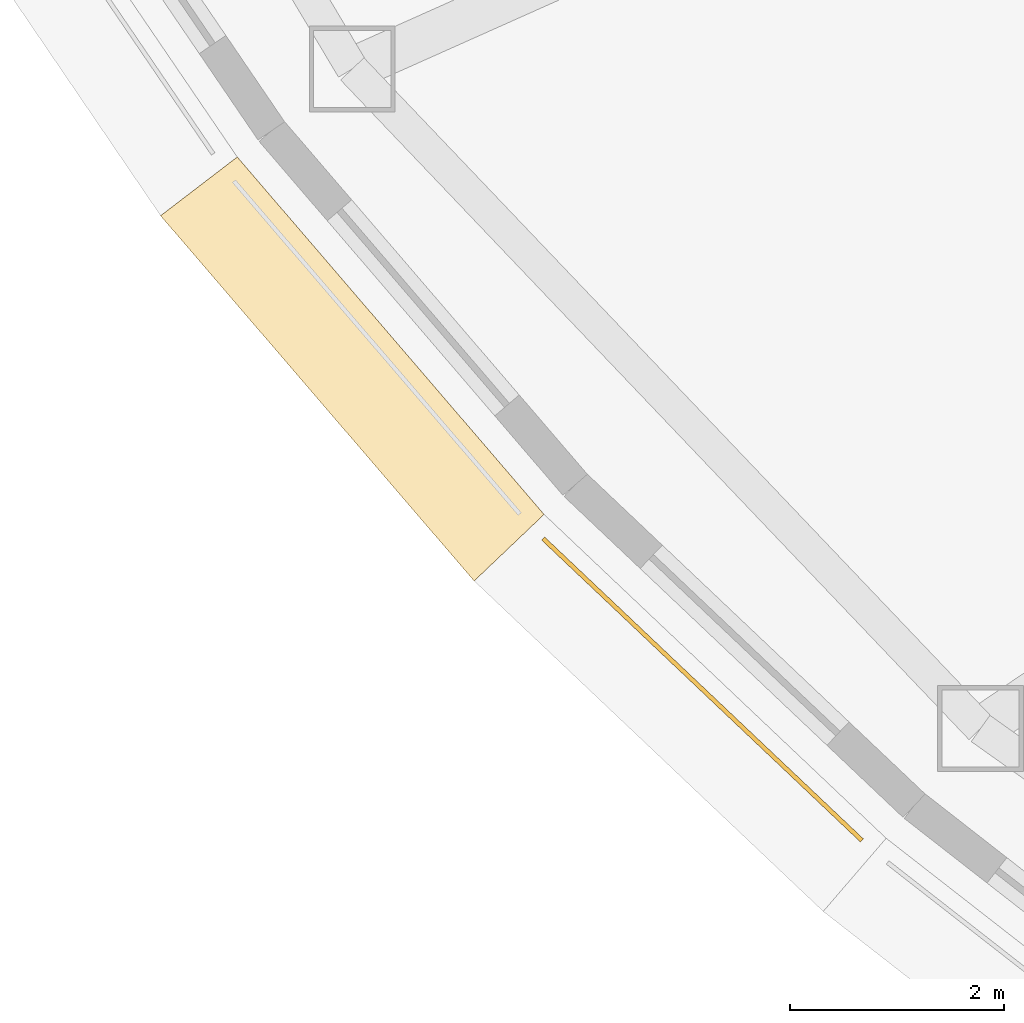
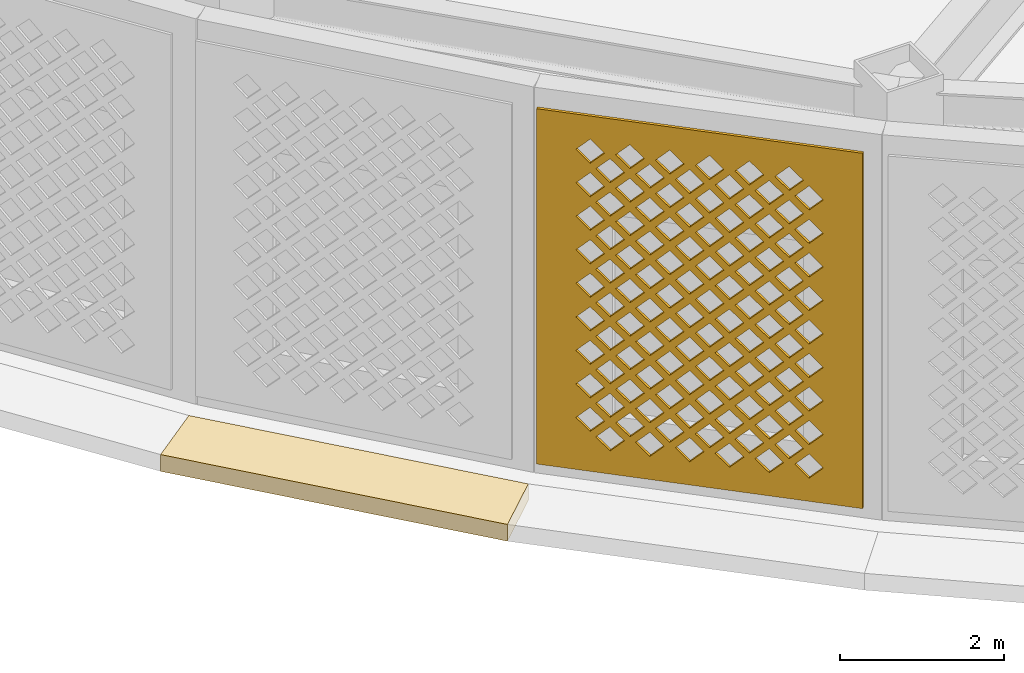
# One storey, part 38 of 74: 2 coverings.
"""IFC4 building model written with IfcOpenShell, lengths in metres."""

import ifcopenshell
import ifcopenshell.guid

model = None  # the IFC model being written
_history = None  # IfcOwnerHistory: only IFC2X3 demands one
_inside = {}  # id of a spatial element -> (the spatial element, [elements in it])
_under = {}  # id of a project, library or spatial element -> (it, [spatial elements below it])
_declared = {}  # id of a project -> (the project, [libraries it declares])
_typed = {}  # id of a type object -> (the type object, [elements of that type])
_made_of = {}  # id of a material, layer set ... -> (it, [elements and type objects made of it])


def new_model(schema):
    """Start an empty IFC model of exactly this schema.

    Asked for "IFC4X3", IfcOpenShell would pick the latest addendum, in which some entities
    have other attributes; the version numbers below select the first issue.
    IFC2X3 requires an IfcOwnerHistory on every rooted entity: one is made here for all.
    """
    global model, _history
    if schema == "IFC4X3":
        model = ifcopenshell.file(schema_version=(4, 3, 0, 0))
    else:
        model = ifcopenshell.file(schema=schema)
    _inside.clear()
    _under.clear()
    _declared.clear()
    _typed.clear()
    _made_of.clear()
    _history = None
    if model.schema == "IFC2X3":
        org = make("IfcOrganization", Name="unknown")
        user = make(
            "IfcPersonAndOrganization",
            ThePerson=make("IfcPerson", FamilyName="unknown"),
            TheOrganization=org,
        )
        app = make(
            "IfcApplication",
            ApplicationDeveloper=org,
            Version="unknown",
            ApplicationFullName="unknown",
            ApplicationIdentifier="unknown",
        )
        _history = make(
            "IfcOwnerHistory",
            OwningUser=user,
            OwningApplication=app,
            ChangeAction="ADDED",
            CreationDate=0,
        )
    return model


def make(cls, **values):
    """One entity of the class cls with the attributes given. An attribute that is None is left unset."""
    return model.create_entity(
        cls, **{name: value for name, value in values.items() if value is not None}
    )


def rooted(cls, **values):
    """An entity with a GlobalId (a new one), such as an element, a storey or a relation."""
    return make(cls, GlobalId=ifcopenshell.guid.new(), OwnerHistory=_history, **values)


def si_unit(unit_type, name, prefix=None):
    """IfcSIUnit, for example si_unit("LENGTHUNIT", "METRE", prefix="MILLI")."""
    return make("IfcSIUnit", UnitType=unit_type, Prefix=prefix, Name=name)


def assignment(units):
    """IfcUnitAssignment: the units of a project."""
    return None if units is None else make("IfcUnitAssignment", Units=units)


def point(xyz):
    """IfcCartesianPoint."""
    return None if xyz is None else make("IfcCartesianPoint", Coordinates=xyz)


def direction(xyz):
    """IfcDirection."""
    return None if xyz is None else make("IfcDirection", DirectionRatios=xyz)


def frame(location, z_axis=None, x_axis=None):
    """IfcAxis2Placement3D, a coordinate frame: its origin and axes. An axis left out is left unset."""
    return make(
        "IfcAxis2Placement3D",
        Location=point(location),
        Axis=direction(z_axis),
        RefDirection=direction(x_axis),
    )


def origin():
    """The frame at (0, 0, 0) with its axes left unset."""
    return frame((0.0, 0.0, 0.0))


def place(relative_to, where):
    """IfcLocalPlacement: puts the frame where relative to a parent placement (None: the world)."""
    return make(
        "IfcLocalPlacement", PlacementRelTo=relative_to, RelativePlacement=where
    )


def context(
    kind, dimensions, precision=None, world=None, true_north=None, identifier=None
):
    """IfcGeometricRepresentationContext, for example the 3D "Model" context."""
    return make(
        "IfcGeometricRepresentationContext",
        ContextIdentifier=identifier,
        ContextType=kind,
        CoordinateSpaceDimension=dimensions,
        Precision=precision,
        WorldCoordinateSystem=world,
        TrueNorth=true_north,
    )


def subcontext(parent, identifier, kind, view, scale=None):
    """IfcGeometricRepresentationSubContext, for example "Body" below "Model"."""
    return make(
        "IfcGeometricRepresentationSubContext",
        ContextIdentifier=identifier,
        ContextType=kind,
        ParentContext=parent,
        TargetScale=scale,
        TargetView=view,
    )


def project(units=None, contexts=None):
    """IfcProject with its units and contexts."""
    return rooted(
        "IfcProject",
        Name="project",
        RepresentationContexts=contexts,
        UnitsInContext=assignment(units),
    )


def spatial(cls, under=None, at=None, **own):
    """A site, building, storey or space (cls), placed at a placement, below another one or the project."""
    s = rooted(cls, ObjectPlacement=at, **own)
    if under is not None:
        _under.setdefault(under.id(), (under, []))[1].append(s)
    return s


def polyline(points):
    """IfcPolyline through the points."""
    return make("IfcPolyline", Points=[point(p) for p in points])


def outline(outer, holes=None, kind="AREA"):
    """IfcArbitraryClosedProfileDef: a profile drawn as a closed curve; with holes, ...WithVoids."""
    if holes is None:
        return make("IfcArbitraryClosedProfileDef", ProfileType=kind, OuterCurve=outer)
    return make(
        "IfcArbitraryProfileDefWithVoids",
        ProfileType=kind,
        OuterCurve=outer,
        InnerCurves=holes,
    )


def extrude(swept, where, along, depth):
    """IfcExtrudedAreaSolid: the profile swept, set in the frame where, extruded along a direction by depth."""
    return make(
        "IfcExtrudedAreaSolid",
        SweptArea=swept,
        Position=where,
        ExtrudedDirection=direction(along),
        Depth=depth,
    )


def shape(context_of_items, identifier, shape_type, items):
    """IfcShapeRepresentation: the items that make up one representation, for example the "Body"."""
    return make(
        "IfcShapeRepresentation",
        ContextOfItems=context_of_items,
        RepresentationIdentifier=identifier,
        RepresentationType=shape_type,
        Items=items,
    )


def material(Name=None, Category=None):
    """IfcMaterial."""
    return make("IfcMaterial", Name=Name, Category=Category)


def layer(
    of_material, thickness, ventilated=None, Name=None, Category=None, Priority=None
):
    """IfcMaterialLayer: one layer of a wall or slab, of a material (None: an air gap)."""
    return make(
        "IfcMaterialLayer",
        Material=of_material,
        LayerThickness=thickness,
        IsVentilated=ventilated,
        Name=Name,
        Category=Category,
        Priority=Priority,
    )


def layer_set(layers, Name=None):
    """IfcMaterialLayerSet."""
    return make("IfcMaterialLayerSet", MaterialLayers=layers, LayerSetName=Name)


def made_of(thing, what):
    """Note that an element or type object is made of a material, layer set ...; save() writes the relation."""
    if what is not None:
        _made_of.setdefault(what.id(), (what, []))[1].append(thing)
    return thing


def type_object(cls, material=None, **own):
    """A type object (cls), such as IfcWallType, which elements share."""
    return made_of(rooted(cls, **own), material)


def element(
    cls,
    number,
    at=None,
    inside=None,
    cuts=None,
    type_object=None,
    material=None,
    context=None,
    identifier="Body",
    shape_type=None,
    held_by="IfcProductDefinitionShape",
    body=None,
    shapes=None,
    **own,
):
    """One element of the class cls, such as IfcWall. Its Tag is "e" and its number.

    at: its placement. inside: the storey or other place that contains it. cuts: it is an
    opening in that element (IfcRelVoidsElement). A single representation is given by context,
    identifier, shape_type and body (its items); several are given by shapes. held_by: the class
    of the entity that holds the representations. save() writes the other relations.
    """
    e = rooted(cls, Tag="e%d" % number, ObjectPlacement=at, **own)
    if body is not None:
        shapes = [shape(context, identifier, shape_type, body)]
    if shapes is not None:
        e.Representation = make(held_by, Representations=shapes)
    if inside is not None:
        _inside.setdefault(inside.id(), (inside, []))[1].append(e)
    if cuts is not None:
        rooted(
            "IfcRelVoidsElement", RelatingBuildingElement=cuts, RelatedOpeningElement=e
        )
    if type_object is not None:
        _typed.setdefault(type_object.id(), (type_object, []))[1].append(e)
    return made_of(e, material)


def aggregate(whole, parts):
    """IfcRelAggregates: a whole, such as a stair, and the parts it consists of."""
    return rooted("IfcRelAggregates", RelatingObject=whole, RelatedObjects=parts)


def save(model, path):
    """Write the relations noted so far, then the file.

    IfcRelAggregates (storeys below a building ...), IfcRelContainedInSpatialStructure (elements
    in a storey), IfcRelDefinesByType, IfcRelAssociatesMaterial and IfcRelDeclares: one each for
    every whole, place, type object, material and project.
    """
    for whole, parts in _under.values():
        aggregate(whole, parts)
    for where, things in _inside.values():
        rooted(
            "IfcRelContainedInSpatialStructure",
            RelatedElements=things,
            RelatingStructure=where,
        )
    for kind, things in _typed.values():
        rooted("IfcRelDefinesByType", RelatedObjects=things, RelatingType=kind)
    for what, things in _made_of.values():
        rooted("IfcRelAssociatesMaterial", RelatedObjects=things, RelatingMaterial=what)
    for by, libraries in _declared.values():
        rooted("IfcRelDeclares", RelatingContext=by, RelatedDefinitions=libraries)
    model.write(path)


model = new_model("IFC4")

# Units and contexts
model_context = context("Model", 3, precision=1e-05, world=origin(), true_north=direction((0.0, 1.0)))
body_context = subcontext(model_context, "Body", "Model", "MODEL_VIEW")
ifc_project = project(units=[si_unit("LENGTHUNIT", "METRE"), si_unit("AREAUNIT", "SQUARE_METRE"), si_unit("VOLUMEUNIT", "CUBIC_METRE"), si_unit("PLANEANGLEUNIT", "RADIAN"), si_unit("MASSUNIT", "GRAM", prefix="KILO")], contexts=[model_context])

# Site, building, storey
site_placement = place(None, origin())
site = spatial("IfcSite", under=ifc_project, at=site_placement, CompositionType="ELEMENT")
building_placement = place(site_placement, origin())
building = spatial("IfcBuilding", under=site, at=building_placement, Name="Noorbagh Ring Tower", CompositionType="ELEMENT")
storey_placement = place(building_placement, frame((0.0, 0.0, 13.5)))
storey = spatial("IfcBuildingStorey", under=building, at=storey_placement, Name="L02", CompositionType="ELEMENT", Elevation=13.5)

# Coverings
ifc_material_1 = material(Name="Red sandstone eave", Category="masonry")
covering_type_1 = type_object("IfcCoveringType", Name="STY-CHHAJJA", PredefinedType="USERDEFINED", material=ifc_material_1)
covering_1_placement = place(storey_placement, frame((0.0, 0.0, -0.25)))
element("IfcCovering", 1, at=covering_1_placement, inside=storey, type_object=covering_type_1, Name="Chhajja eave", ObjectType="CHHAJJA", PredefinedType="USERDEFINED", context=body_context, shape_type="SweptSolid", body=[
    extrude(outline(polyline([(-44.77001953125, -20.346923828125), (-41.906494140625, -23.682373046875), (-42.55908203125, -24.3037109375), (-45.485595703125, -20.89501953125), (-44.77001953125, -20.346923828125)])), origin(), (0.0, 0.0, 1.0), 0.25),
])
ifc_material_2 = material(Name="Red sandstone jali", Category="masonry")
ifc_layer = layer(ifc_material_2, 0.0400390625)
ifc_layer_set = layer_set([ifc_layer], Name="Red sandstone jali")
covering_type_2 = type_object("IfcCoveringType", Name="STY-JALI", PredefinedType="USERDEFINED", material=ifc_layer_set)
covering_2_placement = place(storey_placement, frame((-41.92822265625, -23.92333984375, 0.449951171875), z_axis=(-0.687531349275, -0.726154696855, 0.0), x_axis=(0.726154696855, -0.687531349275, 0.0)))
element("IfcCovering", 2, at=covering_2_placement, inside=storey, type_object=covering_type_2, Name="Jali screen", ObjectType="SCREEN", PredefinedType="USERDEFINED", context=body_context, shape_type="SweptSolid", body=[
    extrude(outline(polyline([(0.0, 0.0), (4.095947265625, 0.0), (4.095947265625, 5.300048828125), (0.0, 5.300048828125), (0.0, 0.0)]), holes=[polyline([(0.742919921875, 0.52490234375), (0.923095703125, 0.344970703125), (1.10302734375, 0.52490234375), (0.923095703125, 0.705078125), (0.742919921875, 0.52490234375)]), polyline([(1.242919921875, 0.52490234375), (1.423095703125, 0.344970703125), (1.60302734375, 0.52490234375), (1.423095703125, 0.705078125), (1.242919921875, 0.52490234375)]), polyline([(1.742919921875, 0.52490234375), (1.923095703125, 0.344970703125), (2.10302734375, 0.52490234375), (1.923095703125, 0.705078125), (1.742919921875, 0.52490234375)]), polyline([(2.242919921875, 0.52490234375), (2.423095703125, 0.344970703125), (2.60302734375, 0.52490234375), (2.423095703125, 0.705078125), (2.242919921875, 0.52490234375)]), polyline([(2.742919921875, 0.52490234375), (2.923095703125, 0.344970703125), (3.10302734375, 0.52490234375), (2.923095703125, 0.705078125), (2.742919921875, 0.52490234375)]), polyline([(3.242919921875, 0.52490234375), (3.423095703125, 0.344970703125), (3.60302734375, 0.52490234375), (3.423095703125, 0.705078125), (3.242919921875, 0.52490234375)]), polyline([(0.492919921875, 0.77490234375), (0.673095703125, 0.594970703125), (0.85302734375, 0.77490234375), (0.673095703125, 0.955078125), (0.492919921875, 0.77490234375)]), polyline([(0.992919921875, 0.77490234375), (1.173095703125, 0.594970703125), (1.35302734375, 0.77490234375), (1.173095703125, 0.955078125), (0.992919921875, 0.77490234375)]), polyline([(1.492919921875, 0.77490234375), (1.673095703125, 0.594970703125), (1.85302734375, 0.77490234375), (1.673095703125, 0.955078125), (1.492919921875, 0.77490234375)]), polyline([(1.992919921875, 0.77490234375), (2.173095703125, 0.594970703125), (2.35302734375, 0.77490234375), (2.173095703125, 0.955078125), (1.992919921875, 0.77490234375)]), polyline([(2.492919921875, 0.77490234375), (2.673095703125, 0.594970703125), (2.85302734375, 0.77490234375), (2.673095703125, 0.955078125), (2.492919921875, 0.77490234375)]), polyline([(2.992919921875, 0.77490234375), (3.173095703125, 0.594970703125), (3.35302734375, 0.77490234375), (3.173095703125, 0.955078125), (2.992919921875, 0.77490234375)]), polyline([(0.742919921875, 1.02490234375), (0.923095703125, 0.844970703125), (1.10302734375, 1.02490234375), (0.923095703125, 1.205078125), (0.742919921875, 1.02490234375)]), polyline([(1.242919921875, 1.02490234375), (1.423095703125, 0.844970703125), (1.60302734375, 1.02490234375), (1.423095703125, 1.205078125), (1.242919921875, 1.02490234375)]), polyline([(1.742919921875, 1.02490234375), (1.923095703125, 0.844970703125), (2.10302734375, 1.02490234375), (1.923095703125, 1.205078125), (1.742919921875, 1.02490234375)]), polyline([(2.242919921875, 1.02490234375), (2.423095703125, 0.844970703125), (2.60302734375, 1.02490234375), (2.423095703125, 1.205078125), (2.242919921875, 1.02490234375)]), polyline([(2.742919921875, 1.02490234375), (2.923095703125, 0.844970703125), (3.10302734375, 1.02490234375), (2.923095703125, 1.205078125), (2.742919921875, 1.02490234375)]), polyline([(3.242919921875, 1.02490234375), (3.423095703125, 0.844970703125), (3.60302734375, 1.02490234375), (3.423095703125, 1.205078125), (3.242919921875, 1.02490234375)]), polyline([(0.492919921875, 1.27490234375), (0.673095703125, 1.094970703125), (0.85302734375, 1.27490234375), (0.673095703125, 1.455078125), (0.492919921875, 1.27490234375)]), polyline([(0.992919921875, 1.27490234375), (1.173095703125, 1.094970703125), (1.35302734375, 1.27490234375), (1.173095703125, 1.455078125), (0.992919921875, 1.27490234375)]), polyline([(1.492919921875, 1.27490234375), (1.673095703125, 1.094970703125), (1.85302734375, 1.27490234375), (1.673095703125, 1.455078125), (1.492919921875, 1.27490234375)]), polyline([(1.992919921875, 1.27490234375), (2.173095703125, 1.094970703125), (2.35302734375, 1.27490234375), (2.173095703125, 1.455078125), (1.992919921875, 1.27490234375)]), polyline([(2.492919921875, 1.27490234375), (2.673095703125, 1.094970703125), (2.85302734375, 1.27490234375), (2.673095703125, 1.455078125), (2.492919921875, 1.27490234375)]), polyline([(2.992919921875, 1.27490234375), (3.173095703125, 1.094970703125), (3.35302734375, 1.27490234375), (3.173095703125, 1.455078125), (2.992919921875, 1.27490234375)]), polyline([(0.742919921875, 1.52490234375), (0.923095703125, 1.344970703125), (1.10302734375, 1.52490234375), (0.923095703125, 1.705078125), (0.742919921875, 1.52490234375)]), polyline([(1.242919921875, 1.52490234375), (1.423095703125, 1.344970703125), (1.60302734375, 1.52490234375), (1.423095703125, 1.705078125), (1.242919921875, 1.52490234375)]), polyline([(1.742919921875, 1.52490234375), (1.923095703125, 1.344970703125), (2.10302734375, 1.52490234375), (1.923095703125, 1.705078125), (1.742919921875, 1.52490234375)]), polyline([(2.242919921875, 1.52490234375), (2.423095703125, 1.344970703125), (2.60302734375, 1.52490234375), (2.423095703125, 1.705078125), (2.242919921875, 1.52490234375)]), polyline([(2.742919921875, 1.52490234375), (2.923095703125, 1.344970703125), (3.10302734375, 1.52490234375), (2.923095703125, 1.705078125), (2.742919921875, 1.52490234375)]), polyline([(3.242919921875, 1.52490234375), (3.423095703125, 1.344970703125), (3.60302734375, 1.52490234375), (3.423095703125, 1.705078125), (3.242919921875, 1.52490234375)]), polyline([(0.492919921875, 1.77490234375), (0.673095703125, 1.594970703125), (0.85302734375, 1.77490234375), (0.673095703125, 1.955078125), (0.492919921875, 1.77490234375)]), polyline([(0.992919921875, 1.77490234375), (1.173095703125, 1.594970703125), (1.35302734375, 1.77490234375), (1.173095703125, 1.955078125), (0.992919921875, 1.77490234375)]), polyline([(1.492919921875, 1.77490234375), (1.673095703125, 1.594970703125), (1.85302734375, 1.77490234375), (1.673095703125, 1.955078125), (1.492919921875, 1.77490234375)]), polyline([(1.992919921875, 1.77490234375), (2.173095703125, 1.594970703125), (2.35302734375, 1.77490234375), (2.173095703125, 1.955078125), (1.992919921875, 1.77490234375)]), polyline([(2.492919921875, 1.77490234375), (2.673095703125, 1.594970703125), (2.85302734375, 1.77490234375), (2.673095703125, 1.955078125), (2.492919921875, 1.77490234375)]), polyline([(2.992919921875, 1.77490234375), (3.173095703125, 1.594970703125), (3.35302734375, 1.77490234375), (3.173095703125, 1.955078125), (2.992919921875, 1.77490234375)]), polyline([(0.742919921875, 2.02490234375), (0.923095703125, 1.844970703125), (1.10302734375, 2.02490234375), (0.923095703125, 2.205078125), (0.742919921875, 2.02490234375)]), polyline([(1.242919921875, 2.02490234375), (1.423095703125, 1.844970703125), (1.60302734375, 2.02490234375), (1.423095703125, 2.205078125), (1.242919921875, 2.02490234375)]), polyline([(1.742919921875, 2.02490234375), (1.923095703125, 1.844970703125), (2.10302734375, 2.02490234375), (1.923095703125, 2.205078125), (1.742919921875, 2.02490234375)]), polyline([(2.242919921875, 2.02490234375), (2.423095703125, 1.844970703125), (2.60302734375, 2.02490234375), (2.423095703125, 2.205078125), (2.242919921875, 2.02490234375)]), polyline([(2.742919921875, 2.02490234375), (2.923095703125, 1.844970703125), (3.10302734375, 2.02490234375), (2.923095703125, 2.205078125), (2.742919921875, 2.02490234375)]), polyline([(3.242919921875, 2.02490234375), (3.423095703125, 1.844970703125), (3.60302734375, 2.02490234375), (3.423095703125, 2.205078125), (3.242919921875, 2.02490234375)]), polyline([(0.492919921875, 2.27490234375), (0.673095703125, 2.094970703125), (0.85302734375, 2.27490234375), (0.673095703125, 2.455078125), (0.492919921875, 2.27490234375)]), polyline([(0.992919921875, 2.27490234375), (1.173095703125, 2.094970703125), (1.35302734375, 2.27490234375), (1.173095703125, 2.455078125), (0.992919921875, 2.27490234375)]), polyline([(1.492919921875, 2.27490234375), (1.673095703125, 2.094970703125), (1.85302734375, 2.27490234375), (1.673095703125, 2.455078125), (1.492919921875, 2.27490234375)]), polyline([(1.992919921875, 2.27490234375), (2.173095703125, 2.094970703125), (2.35302734375, 2.27490234375), (2.173095703125, 2.455078125), (1.992919921875, 2.27490234375)]), polyline([(2.492919921875, 2.27490234375), (2.673095703125, 2.094970703125), (2.85302734375, 2.27490234375), (2.673095703125, 2.455078125), (2.492919921875, 2.27490234375)]), polyline([(2.992919921875, 2.27490234375), (3.173095703125, 2.094970703125), (3.35302734375, 2.27490234375), (3.173095703125, 2.455078125), (2.992919921875, 2.27490234375)]), polyline([(0.742919921875, 2.52490234375), (0.923095703125, 2.344970703125), (1.10302734375, 2.52490234375), (0.923095703125, 2.705078125), (0.742919921875, 2.52490234375)]), polyline([(1.242919921875, 2.52490234375), (1.423095703125, 2.344970703125), (1.60302734375, 2.52490234375), (1.423095703125, 2.705078125), (1.242919921875, 2.52490234375)]), polyline([(1.742919921875, 2.52490234375), (1.923095703125, 2.344970703125), (2.10302734375, 2.52490234375), (1.923095703125, 2.705078125), (1.742919921875, 2.52490234375)]), polyline([(2.242919921875, 2.52490234375), (2.423095703125, 2.344970703125), (2.60302734375, 2.52490234375), (2.423095703125, 2.705078125), (2.242919921875, 2.52490234375)]), polyline([(2.742919921875, 2.52490234375), (2.923095703125, 2.344970703125), (3.10302734375, 2.52490234375), (2.923095703125, 2.705078125), (2.742919921875, 2.52490234375)]), polyline([(3.242919921875, 2.52490234375), (3.423095703125, 2.344970703125), (3.60302734375, 2.52490234375), (3.423095703125, 2.705078125), (3.242919921875, 2.52490234375)]), polyline([(0.492919921875, 2.77490234375), (0.673095703125, 2.594970703125), (0.85302734375, 2.77490234375), (0.673095703125, 2.955078125), (0.492919921875, 2.77490234375)]), polyline([(0.992919921875, 2.77490234375), (1.173095703125, 2.594970703125), (1.35302734375, 2.77490234375), (1.173095703125, 2.955078125), (0.992919921875, 2.77490234375)]), polyline([(1.492919921875, 2.77490234375), (1.673095703125, 2.594970703125), (1.85302734375, 2.77490234375), (1.673095703125, 2.955078125), (1.492919921875, 2.77490234375)]), polyline([(1.992919921875, 2.77490234375), (2.173095703125, 2.594970703125), (2.35302734375, 2.77490234375), (2.173095703125, 2.955078125), (1.992919921875, 2.77490234375)]), polyline([(2.492919921875, 2.77490234375), (2.673095703125, 2.594970703125), (2.85302734375, 2.77490234375), (2.673095703125, 2.955078125), (2.492919921875, 2.77490234375)]), polyline([(2.992919921875, 2.77490234375), (3.173095703125, 2.594970703125), (3.35302734375, 2.77490234375), (3.173095703125, 2.955078125), (2.992919921875, 2.77490234375)]), polyline([(0.742919921875, 3.02490234375), (0.923095703125, 2.844970703125), (1.10302734375, 3.02490234375), (0.923095703125, 3.205078125), (0.742919921875, 3.02490234375)]), polyline([(1.242919921875, 3.02490234375), (1.423095703125, 2.844970703125), (1.60302734375, 3.02490234375), (1.423095703125, 3.205078125), (1.242919921875, 3.02490234375)]), polyline([(1.742919921875, 3.02490234375), (1.923095703125, 2.844970703125), (2.10302734375, 3.02490234375), (1.923095703125, 3.205078125), (1.742919921875, 3.02490234375)]), polyline([(2.242919921875, 3.02490234375), (2.423095703125, 2.844970703125), (2.60302734375, 3.02490234375), (2.423095703125, 3.205078125), (2.242919921875, 3.02490234375)]), polyline([(2.742919921875, 3.02490234375), (2.923095703125, 2.844970703125), (3.10302734375, 3.02490234375), (2.923095703125, 3.205078125), (2.742919921875, 3.02490234375)]), polyline([(3.242919921875, 3.02490234375), (3.423095703125, 2.844970703125), (3.60302734375, 3.02490234375), (3.423095703125, 3.205078125), (3.242919921875, 3.02490234375)]), polyline([(0.492919921875, 3.27490234375), (0.673095703125, 3.094970703125), (0.85302734375, 3.27490234375), (0.673095703125, 3.455078125), (0.492919921875, 3.27490234375)]), polyline([(0.992919921875, 3.27490234375), (1.173095703125, 3.094970703125), (1.35302734375, 3.27490234375), (1.173095703125, 3.455078125), (0.992919921875, 3.27490234375)]), polyline([(1.492919921875, 3.27490234375), (1.673095703125, 3.094970703125), (1.85302734375, 3.27490234375), (1.673095703125, 3.455078125), (1.492919921875, 3.27490234375)]), polyline([(1.992919921875, 3.27490234375), (2.173095703125, 3.094970703125), (2.35302734375, 3.27490234375), (2.173095703125, 3.455078125), (1.992919921875, 3.27490234375)]), polyline([(2.492919921875, 3.27490234375), (2.673095703125, 3.094970703125), (2.85302734375, 3.27490234375), (2.673095703125, 3.455078125), (2.492919921875, 3.27490234375)]), polyline([(2.992919921875, 3.27490234375), (3.173095703125, 3.094970703125), (3.35302734375, 3.27490234375), (3.173095703125, 3.455078125), (2.992919921875, 3.27490234375)]), polyline([(0.742919921875, 3.52490234375), (0.923095703125, 3.344970703125), (1.10302734375, 3.52490234375), (0.923095703125, 3.705078125), (0.742919921875, 3.52490234375)]), polyline([(1.242919921875, 3.52490234375), (1.423095703125, 3.344970703125), (1.60302734375, 3.52490234375), (1.423095703125, 3.705078125), (1.242919921875, 3.52490234375)]), polyline([(1.742919921875, 3.52490234375), (1.923095703125, 3.344970703125), (2.10302734375, 3.52490234375), (1.923095703125, 3.705078125), (1.742919921875, 3.52490234375)]), polyline([(2.242919921875, 3.52490234375), (2.423095703125, 3.344970703125), (2.60302734375, 3.52490234375), (2.423095703125, 3.705078125), (2.242919921875, 3.52490234375)]), polyline([(2.742919921875, 3.52490234375), (2.923095703125, 3.344970703125), (3.10302734375, 3.52490234375), (2.923095703125, 3.705078125), (2.742919921875, 3.52490234375)]), polyline([(3.242919921875, 3.52490234375), (3.423095703125, 3.344970703125), (3.60302734375, 3.52490234375), (3.423095703125, 3.705078125), (3.242919921875, 3.52490234375)]), polyline([(0.492919921875, 3.77490234375), (0.673095703125, 3.594970703125), (0.85302734375, 3.77490234375), (0.673095703125, 3.955078125), (0.492919921875, 3.77490234375)]), polyline([(0.992919921875, 3.77490234375), (1.173095703125, 3.594970703125), (1.35302734375, 3.77490234375), (1.173095703125, 3.955078125), (0.992919921875, 3.77490234375)]), polyline([(1.492919921875, 3.77490234375), (1.673095703125, 3.594970703125), (1.85302734375, 3.77490234375), (1.673095703125, 3.955078125), (1.492919921875, 3.77490234375)]), polyline([(1.992919921875, 3.77490234375), (2.173095703125, 3.594970703125), (2.35302734375, 3.77490234375), (2.173095703125, 3.955078125), (1.992919921875, 3.77490234375)]), polyline([(2.492919921875, 3.77490234375), (2.673095703125, 3.594970703125), (2.85302734375, 3.77490234375), (2.673095703125, 3.955078125), (2.492919921875, 3.77490234375)]), polyline([(2.992919921875, 3.77490234375), (3.173095703125, 3.594970703125), (3.35302734375, 3.77490234375), (3.173095703125, 3.955078125), (2.992919921875, 3.77490234375)]), polyline([(0.742919921875, 4.02490234375), (0.923095703125, 3.844970703125), (1.10302734375, 4.02490234375), (0.923095703125, 4.205078125), (0.742919921875, 4.02490234375)]), polyline([(1.242919921875, 4.02490234375), (1.423095703125, 3.844970703125), (1.60302734375, 4.02490234375), (1.423095703125, 4.205078125), (1.242919921875, 4.02490234375)]), polyline([(1.742919921875, 4.02490234375), (1.923095703125, 3.844970703125), (2.10302734375, 4.02490234375), (1.923095703125, 4.205078125), (1.742919921875, 4.02490234375)]), polyline([(2.242919921875, 4.02490234375), (2.423095703125, 3.844970703125), (2.60302734375, 4.02490234375), (2.423095703125, 4.205078125), (2.242919921875, 4.02490234375)]), polyline([(2.742919921875, 4.02490234375), (2.923095703125, 3.844970703125), (3.10302734375, 4.02490234375), (2.923095703125, 4.205078125), (2.742919921875, 4.02490234375)]), polyline([(3.242919921875, 4.02490234375), (3.423095703125, 3.844970703125), (3.60302734375, 4.02490234375), (3.423095703125, 4.205078125), (3.242919921875, 4.02490234375)]), polyline([(0.492919921875, 4.27490234375), (0.673095703125, 4.094970703125), (0.85302734375, 4.27490234375), (0.673095703125, 4.455078125), (0.492919921875, 4.27490234375)]), polyline([(0.992919921875, 4.27490234375), (1.173095703125, 4.094970703125), (1.35302734375, 4.27490234375), (1.173095703125, 4.455078125), (0.992919921875, 4.27490234375)]), polyline([(1.492919921875, 4.27490234375), (1.673095703125, 4.094970703125), (1.85302734375, 4.27490234375), (1.673095703125, 4.455078125), (1.492919921875, 4.27490234375)]), polyline([(1.992919921875, 4.27490234375), (2.173095703125, 4.094970703125), (2.35302734375, 4.27490234375), (2.173095703125, 4.455078125), (1.992919921875, 4.27490234375)]), polyline([(2.492919921875, 4.27490234375), (2.673095703125, 4.094970703125), (2.85302734375, 4.27490234375), (2.673095703125, 4.455078125), (2.492919921875, 4.27490234375)]), polyline([(2.992919921875, 4.27490234375), (3.173095703125, 4.094970703125), (3.35302734375, 4.27490234375), (3.173095703125, 4.455078125), (2.992919921875, 4.27490234375)]), polyline([(0.742919921875, 4.52490234375), (0.923095703125, 4.344970703125), (1.10302734375, 4.52490234375), (0.923095703125, 4.705078125), (0.742919921875, 4.52490234375)]), polyline([(1.242919921875, 4.52490234375), (1.423095703125, 4.344970703125), (1.60302734375, 4.52490234375), (1.423095703125, 4.705078125), (1.242919921875, 4.52490234375)]), polyline([(1.742919921875, 4.52490234375), (1.923095703125, 4.344970703125), (2.10302734375, 4.52490234375), (1.923095703125, 4.705078125), (1.742919921875, 4.52490234375)]), polyline([(2.242919921875, 4.52490234375), (2.423095703125, 4.344970703125), (2.60302734375, 4.52490234375), (2.423095703125, 4.705078125), (2.242919921875, 4.52490234375)]), polyline([(2.742919921875, 4.52490234375), (2.923095703125, 4.344970703125), (3.10302734375, 4.52490234375), (2.923095703125, 4.705078125), (2.742919921875, 4.52490234375)]), polyline([(3.242919921875, 4.52490234375), (3.423095703125, 4.344970703125), (3.60302734375, 4.52490234375), (3.423095703125, 4.705078125), (3.242919921875, 4.52490234375)]), polyline([(0.492919921875, 4.77490234375), (0.673095703125, 4.594970703125), (0.85302734375, 4.77490234375), (0.673095703125, 4.955078125), (0.492919921875, 4.77490234375)]), polyline([(0.992919921875, 4.77490234375), (1.173095703125, 4.594970703125), (1.35302734375, 4.77490234375), (1.173095703125, 4.955078125), (0.992919921875, 4.77490234375)]), polyline([(1.492919921875, 4.77490234375), (1.673095703125, 4.594970703125), (1.85302734375, 4.77490234375), (1.673095703125, 4.955078125), (1.492919921875, 4.77490234375)]), polyline([(1.992919921875, 4.77490234375), (2.173095703125, 4.594970703125), (2.35302734375, 4.77490234375), (2.173095703125, 4.955078125), (1.992919921875, 4.77490234375)]), polyline([(2.492919921875, 4.77490234375), (2.673095703125, 4.594970703125), (2.85302734375, 4.77490234375), (2.673095703125, 4.955078125), (2.492919921875, 4.77490234375)]), polyline([(2.992919921875, 4.77490234375), (3.173095703125, 4.594970703125), (3.35302734375, 4.77490234375), (3.173095703125, 4.955078125), (2.992919921875, 4.77490234375)])]), origin(), (0.0, 0.0, -1.0), 0.0400390625),
])

save(model, "model.ifc")
